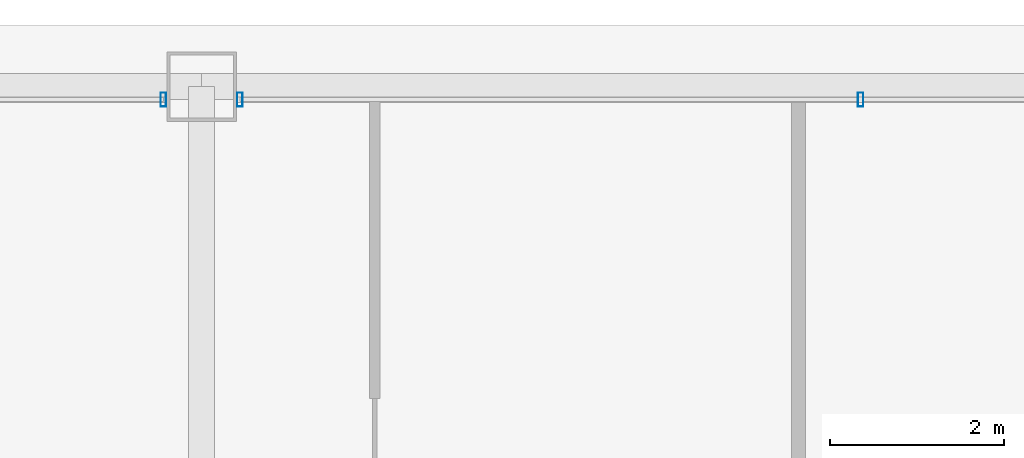
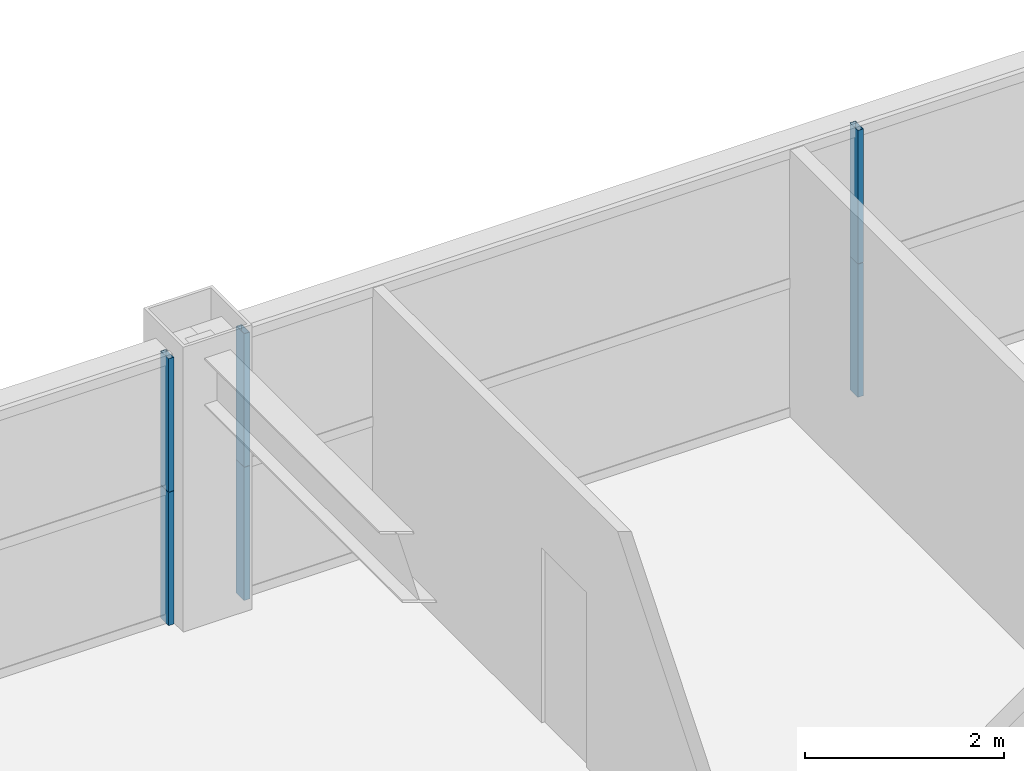
# One storey, part 31 of 42: 6 members, 2 elements without a shape of their own.
"""IFC4 building model written with IfcOpenShell, lengths in metres."""

from ifc_helpers import new_model, si_unit, direction, frame, origin, origin_2d, place, context, subcontext, project, spatial, hollow_rectangle, extrude, source, transform, mapped, material, layer, layer_set, material_profile, profile_set, type_object, element, aggregate, save


model = new_model("IFC4")

# Units and contexts
model_context = context("Model", 3, precision=1e-05, world=origin(), true_north=direction((0.0, 1.0)))
body_context = subcontext(model_context, "Body", "Model", "MODEL_VIEW")
ifc_project = project(units=[si_unit("LENGTHUNIT", "METRE"), si_unit("AREAUNIT", "SQUARE_METRE"), si_unit("VOLUMEUNIT", "CUBIC_METRE"), si_unit("PLANEANGLEUNIT", "RADIAN"), si_unit("MASSUNIT", "GRAM", prefix="KILO"), si_unit("THERMODYNAMICTEMPERATUREUNIT", "KELVIN"), si_unit("POWERUNIT", "WATT")], contexts=[model_context])

# Site, building, storey
site_placement = place(None, origin())
site = spatial("IfcSite", under=ifc_project, at=site_placement, CompositionType="ELEMENT")
building_placement = place(site_placement, origin())
building = spatial("IfcBuilding", under=site, at=building_placement, Name="Yuzanri Waterfront Tower", CompositionType="ELEMENT")
storey_placement = place(building_placement, frame((0.0, 0.0, 205.5)))
storey = spatial("IfcBuildingStorey", under=building, at=storey_placement, Name="L54", CompositionType="ELEMENT", Elevation=205.5)

# Curtain wall, members
ifc_material_1 = material(Name="Anodized Architectural Bronze", Category="metal")
ifc_layer = layer(ifc_material_1, 0.159912109375)
ifc_layer_set = layer_set([ifc_layer], Name="Anodized Architectural Bronze")
curtain_wall_type = type_object("IfcCurtainWallType", Name="Anodized Bronze Mid-Rise Residential Acoustic Unitized Curtain Wall 7200", PredefinedType="NOTDEFINED", material=ifc_layer_set)
curtain_wall_1_placement = place(storey_placement, origin())
curtain_wall_1 = element("IfcCurtainWall", 1, at=curtain_wall_1_placement, inside=storey, type_object=curtain_wall_type, Name="L54 Curtain Wall CW-L54-NL", PredefinedType="NOTDEFINED")
ifc_material_2 = material(Name="Anodized Architectural Bronze", Category="metal")
ifc_material_profile = material_profile(ifc_material_2, hollow_rectangle(XDim=0.06494140625, YDim=0.159912109375, WallThickness=0.00341796875, at=origin_2d()), Name="CWM 65x160")
ifc_profile_set = profile_set([ifc_material_profile], Name="Anodized Architectural Bronze")
member_type = type_object("IfcMemberType", Name="Anodized Bronze Upper-Zone Curtain-Wall Mullion 65x160", PredefinedType="MULLION", material=ifc_profile_set)
shared_shape = source(origin(), body_context, "Body", "SweptSolid", [
    extrude(hollow_rectangle(XDim=0.06494140625, YDim=0.159912109375, WallThickness=0.00341796875, at=origin_2d()), origin(), (0.0, 0.0, 1.0), 1.637939453125),
])
member_1_placement = place(storey_placement, frame((36.56005859375, 47.75, 0.0), z_axis=(0.0, 0.0, 1.0), x_axis=(1.0, 0.0, 0.0)))
member_1 = element("IfcMember", 2, at=member_1_placement, type_object=member_type, Name="CW-L54-NL Lower Mullion 02", PredefinedType="MULLION", context=body_context, shape_type="MappedRepresentation", body=[
    mapped(shared_shape, transform((0.0, 0.0, 0.0), scale=1.0)),
])
member_2_placement = place(storey_placement, frame((36.56005859375, 47.75, 1.64208984375), z_axis=(0.0, 0.0, 1.0), x_axis=(1.0, 0.0, 0.0)))
member_2 = element("IfcMember", 3, at=member_2_placement, type_object=member_type, Name="CW-L54-NL Upper Mullion 02", PredefinedType="MULLION", context=body_context, shape_type="MappedRepresentation", body=[
    mapped(shared_shape, transform((0.0, 0.0, 0.0), scale=1.0)),
])
aggregate(curtain_wall_1, [member_1, member_2])

curtain_wall_2_placement = place(storey_placement, origin())
curtain_wall_2 = element("IfcCurtainWall", 4, at=curtain_wall_2_placement, inside=storey, type_object=curtain_wall_type, Name="L54 Curtain Wall CW-L54-NR", PredefinedType="NOTDEFINED")
member_3_placement = place(storey_placement, frame((37.43994140625, 47.75, 0.0), z_axis=(0.0, 0.0, 1.0), x_axis=(1.0, 0.0, 0.0)))
member_3 = element("IfcMember", 5, at=member_3_placement, type_object=member_type, Name="CW-L54-NR Lower Mullion 00", PredefinedType="MULLION", context=body_context, shape_type="MappedRepresentation", body=[
    mapped(shared_shape, transform((0.0, 0.0, 0.0), scale=1.0)),
])
member_4_placement = place(storey_placement, frame((37.43994140625, 47.75, 1.64208984375), z_axis=(0.0, 0.0, 1.0), x_axis=(1.0, 0.0, 0.0)))
member_4 = element("IfcMember", 6, at=member_4_placement, type_object=member_type, Name="CW-L54-NR Upper Mullion 00", PredefinedType="MULLION", context=body_context, shape_type="MappedRepresentation", body=[
    mapped(shared_shape, transform((0.0, 0.0, 0.0), scale=1.0)),
])
member_5_placement = place(storey_placement, frame((44.574951171875, 47.75, 0.0), z_axis=(0.0, 0.0, 1.0), x_axis=(1.0, 0.0, 0.0)))
member_5 = element("IfcMember", 7, at=member_5_placement, type_object=member_type, Name="CW-L54-NR Lower Mullion 01", PredefinedType="MULLION", context=body_context, shape_type="MappedRepresentation", body=[
    mapped(shared_shape, transform((0.0, 0.0, 0.0), scale=1.0)),
])
member_6_placement = place(storey_placement, frame((44.574951171875, 47.75, 1.64208984375), z_axis=(0.0, 0.0, 1.0), x_axis=(1.0, 0.0, 0.0)))
member_6 = element("IfcMember", 8, at=member_6_placement, type_object=member_type, Name="CW-L54-NR Upper Mullion 01", PredefinedType="MULLION", context=body_context, shape_type="MappedRepresentation", body=[
    mapped(shared_shape, transform((0.0, 0.0, 0.0), scale=1.0)),
])
aggregate(curtain_wall_2, [member_3, member_4, member_5, member_6])

save(model, "model.ifc")
